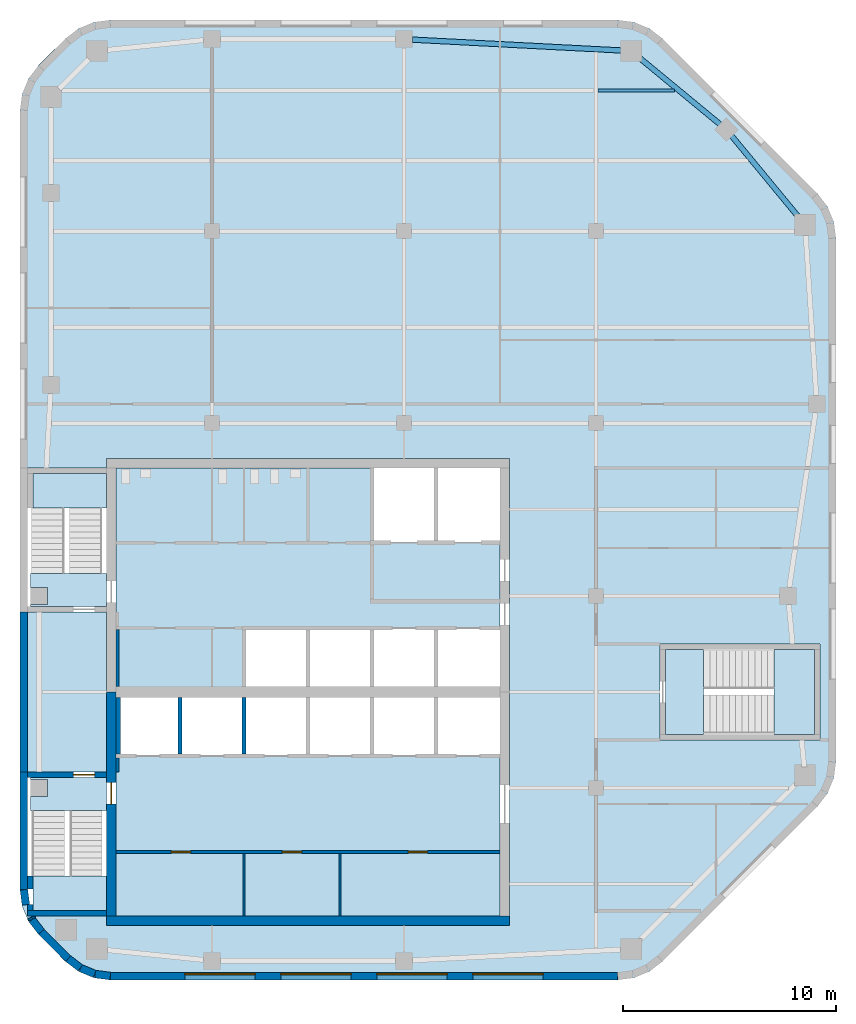
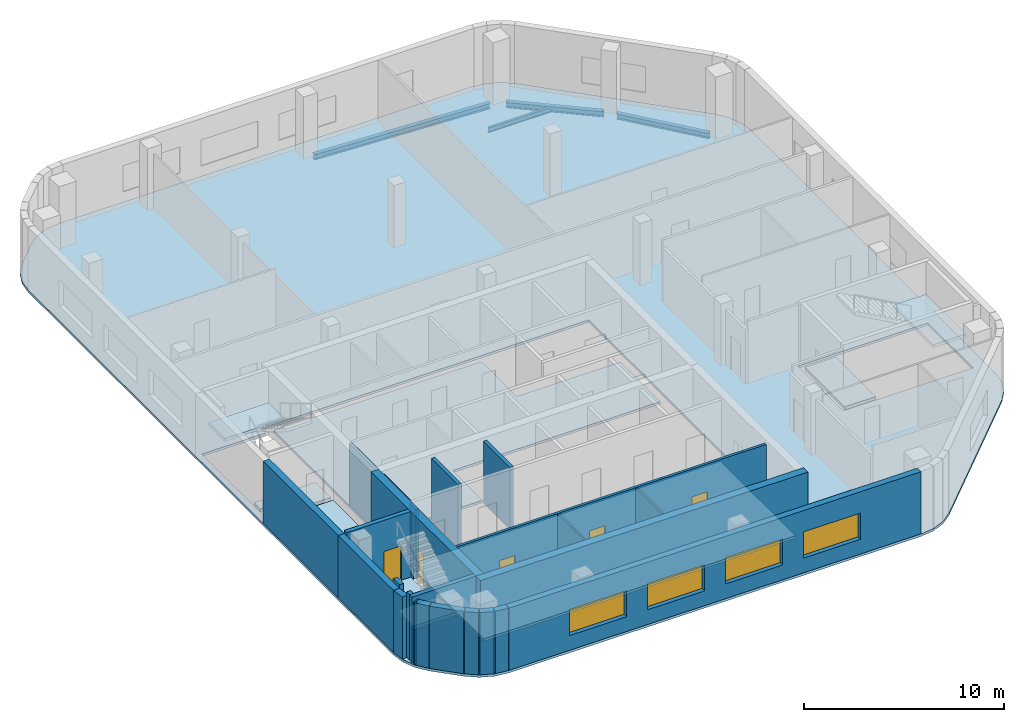
# One storey, part 2 of 7: 24 walls, 9 slabs, 5 doors, 4 beams, 4 windows, 9 openings, 3 elements without a shape of their own.
"""IFC4 building model written with IfcOpenShell, lengths in metres."""

from ifc_helpers import new_model, si_unit, direction, frame, frame_2d, origin, origin_2d, place, context, subcontext, project, spatial, polyline, rectangle, i_section, outline, extrude, material, layer, layer_set, material_profile, profile_set, type_object, element, fill, aggregate, save


model = new_model("IFC4")

# Units and contexts
model_context = context("Model", 3, precision=1e-05, world=origin(), true_north=direction((0.0, 1.0)))
body_context = subcontext(model_context, "Body", "Model", "MODEL_VIEW")
ifc_project = project(units=[si_unit("LENGTHUNIT", "METRE"), si_unit("AREAUNIT", "SQUARE_METRE"), si_unit("VOLUMEUNIT", "CUBIC_METRE"), si_unit("PLANEANGLEUNIT", "RADIAN"), si_unit("MASSUNIT", "GRAM", prefix="KILO")], contexts=[model_context])

# Site, building, storey
site_placement = place(None, origin())
site = spatial("IfcSite", under=ifc_project, at=site_placement, CompositionType="ELEMENT")
building_placement = place(site_placement, origin())
building = spatial("IfcBuilding", under=site, at=building_placement, Name="Cinnabar Reach Civic Tower", CompositionType="ELEMENT")
storey_placement = place(building_placement, frame((0.0, 0.0, 279.0)))
storey = spatial("IfcBuildingStorey", under=building, at=storey_placement, Name="L67", CompositionType="ELEMENT", Elevation=279.0)

# Beams
ifc_material_1 = material(Name="Steel Q355B", Category="steel")
ifc_material_profile_1 = material_profile(ifc_material_1, i_section(OverallWidth=0.25, OverallDepth=0.34, WebThickness=0.009, FlangeThickness=0.014, FilletRadius=0.013, at=origin_2d()), Name="HM340x250x9x14")
ifc_profile_set_1 = profile_set([ifc_material_profile_1], Name="Steel Q355B")
beam_type_1 = type_object("IfcBeamType", Name="HM340x250x9x14 beam R 180", PredefinedType="BEAM", material=ifc_profile_set_1)
for number, where, z_axis, x_axis, name in (
    (1, (36.4818, 53.7801, -0.32), (-0.636303312762, 0.771438976309, 0.0), (-0.771438976309, -0.636303312762, 0.0), "Edge beam T1 L67 9"),
    (2, (32.8486, 58.0822, -0.32), (-0.771438976309, 0.636303312762, 0.0), (-0.636303312762, -0.771438976309, 0.0), "Edge beam T1 L67 10"),
):
    element("IfcBeam", number, at=place(storey_placement, frame(where, z_axis=z_axis, x_axis=x_axis)), inside=storey, type_object=beam_type_1, Name=name, PredefinedType="BEAM", context=body_context, shape_type="SweptSolid", body=[
        extrude(i_section(OverallWidth=0.25, OverallDepth=0.34, WebThickness=0.009, FlangeThickness=0.014, FilletRadius=0.013, at=origin_2d()), origin(), (0.0, 0.0, 1.0), 4.9498),
    ])
beam_1_placement = place(storey_placement, frame((28.2661, 61.5667, -0.32), z_axis=(-0.998653533726, 0.051876001934, 0.0), x_axis=(-0.051876001934, -0.998653533726, 0.0)))
element("IfcBeam", 3, at=beam_1_placement, inside=storey, type_object=beam_type_1, Name="Edge beam T1 L67 11", PredefinedType="BEAM", context=body_context, shape_type="SweptSolid", body=[
    extrude(i_section(OverallWidth=0.25, OverallDepth=0.34, WebThickness=0.009, FlangeThickness=0.014, FilletRadius=0.013, at=origin_2d()), origin(), (0.0, 0.0, 1.0), 9.8774),
])
ifc_material_profile_2 = material_profile(ifc_material_1, i_section(OverallWidth=0.15, OverallDepth=0.3, WebThickness=0.0065, FlangeThickness=0.009, FilletRadius=0.013, at=origin_2d()), Name="HN300x150x6.5x9")
ifc_profile_set_2 = profile_set([ifc_material_profile_2], Name="Steel Q355B")
beam_type_2 = type_object("IfcBeamType", Name="HN300x150x6.5x9 beam R 180", PredefinedType="BEAM", material=ifc_profile_set_2)
beam_2_placement = place(storey_placement, frame((27.102, 59.7, -0.3), z_axis=(1.0, 0.0, 0.0), x_axis=(0.0, 1.0, 0.0)))
element("IfcBeam", 4, at=beam_2_placement, inside=storey, type_object=beam_type_2, Name="Secondary beam T1 L67 19", PredefinedType="BEAM", context=body_context, shape_type="SweptSolid", body=[
    extrude(i_section(OverallWidth=0.15, OverallDepth=0.3, WebThickness=0.0065, FlangeThickness=0.009, FilletRadius=0.013, at=origin_2d()), origin(), (0.0, 0.0, 1.0), 3.5856),
])

# Slab
ifc_material_2 = material(Name="Concrete C40", Category="concrete")
ifc_layer_1 = layer(ifc_material_2, 0.15)
ifc_layer_set_1 = layer_set([ifc_layer_1], Name="Composite floor slab 150 REI 150")
slab_type_1 = type_object("IfcSlabType", Name="Composite floor slab 150 REI 150", PredefinedType="FLOOR", material=ifc_layer_set_1)
slab_1_placement = place(storey_placement, frame((0.0, 0.0, -0.15)))
element("IfcSlab", 5, at=slab_1_placement, inside=storey, type_object=slab_type_1, Name="Composite floor slab 150 T1 L67", PredefinedType="FLOOR", context=body_context, shape_type="SweptSolid", body=[
    extrude(outline(polyline([(0.8787, 20.1213), (0.4019, 20.7426), (0.1022, 21.4662), (0.0, 22.2426), (0.0, 58.7574), (0.1022, 59.5338), (0.4019, 60.2574), (0.8787, 60.8787), (2.1213, 62.1213), (2.7426, 62.5981), (3.4662, 62.8978), (4.2426, 63.0), (28.0074, 63.0), (28.7838, 62.8978), (29.5074, 62.5981), (30.1287, 62.1213), (37.3713, 54.8787), (37.8481, 54.2574), (38.1478, 53.5338), (38.25, 52.7574), (38.25, 28.2426), (38.1478, 27.4662), (37.8481, 26.7426), (37.3713, 26.1213), (30.1287, 18.8787), (29.5074, 18.4019), (28.7838, 18.1022), (28.0074, 18.0), (4.2426, 18.0), (3.4662, 18.1022), (2.7426, 18.4019), (2.1213, 18.8787), (0.8787, 20.1213)]), holes=[polyline([(0.685, 21.0), (4.05, 21.0), (4.05, 20.55), (22.95, 20.55), (22.95, 42.45), (4.05, 42.45), (4.05, 42.0), (0.36, 42.0), (0.36, 35.25), (4.05, 35.25), (4.05, 27.75), (0.36, 27.75), (0.36, 22.2662), (0.453, 21.5602), (0.685, 21.0)]), polyline([(30.0, 33.75), (30.0, 29.25), (37.5, 29.25), (37.5, 33.75), (30.0, 33.75)])]), origin(), (0.0, 0.0, 1.0), 0.15),
])

# Stair, slabs
ifc_material_3 = material(Name="Concrete C40/50", Category="concrete")
stair_type = type_object("IfcStairType", Name="T1 Exit stair, half-turn", PredefinedType="HALF_TURN_STAIR", material=ifc_material_3)
stair_1_placement = place(storey_placement, origin())
stair_1 = element("IfcStair", 6, at=stair_1_placement, inside=storey, type_object=stair_type, Name="Stair T1-S1", PredefinedType="HALF_TURN_STAIR")
ifc_layer_2 = layer(ifc_material_3, 0.2)
ifc_layer_set_2 = layer_set([ifc_layer_2], Name="T1 Stair landing 200, Concrete C40/50")
slab_type_2 = type_object("IfcSlabType", Name="T1 Stair landing 200, Concrete C40/50", PredefinedType="LANDING", material=ifc_layer_set_2)
slab_2_placement = place(storey_placement, frame((0.0, 0.0, -0.2)))
slab_2 = element("IfcSlab", 7, at=slab_2_placement, type_object=slab_type_2, Name="T1-S1 landing 1", PredefinedType="LANDING", context=body_context, shape_type="SweptSolid", body=[
    extrude(outline(polyline([(0.5, 27.5), (4.05, 27.5), (4.05, 25.95), (0.5, 25.95), (0.5, 26.6), (1.3, 26.6), (1.3, 27.4), (0.5, 27.4), (0.5, 27.5)])), origin(), (0.0, 0.0, 1.0), 0.2),
])
slab_3_placement = place(storey_placement, frame((0.0, 0.0, 1.8)))
slab_3 = element("IfcSlab", 8, at=slab_3_placement, type_object=slab_type_2, Name="T1-S1 landing 2", PredefinedType="LANDING", context=body_context, shape_type="SweptSolid", body=[
    extrude(outline(polyline([(0.6, 21.25), (0.6, 22.87), (4.05, 22.87), (4.05, 21.25), (0.6, 21.25)])), origin(), (0.0, 0.0, 1.0), 0.2),
])
aggregate(stair_1, [slab_2, slab_3])

stair_2_placement = place(storey_placement, origin())
stair_2 = element("IfcStair", 9, at=stair_2_placement, inside=storey, type_object=stair_type, Name="Stair T1-S2", PredefinedType="HALF_TURN_STAIR")
slab_4_placement = place(storey_placement, frame((0.0, 0.0, -0.2)))
slab_4 = element("IfcSlab", 10, at=slab_4_placement, type_object=slab_type_2, Name="T1-S2 landing 1", PredefinedType="LANDING", context=body_context, shape_type="SweptSolid", body=[
    extrude(outline(polyline([(0.5, 37.05), (4.05, 37.05), (4.05, 35.5), (0.5, 35.5), (0.5, 35.6), (1.3, 35.6), (1.3, 36.4), (0.5, 36.4), (0.5, 37.05)])), origin(), (0.0, 0.0, 1.0), 0.2),
])
slab_5_placement = place(storey_placement, frame((0.0, 0.0, 1.8)))
slab_5 = element("IfcSlab", 11, at=slab_5_placement, type_object=slab_type_2, Name="T1-S2 landing 2", PredefinedType="LANDING", context=body_context, shape_type="SweptSolid", body=[
    extrude(outline(polyline([(0.6, 40.13), (0.6, 41.75), (4.05, 41.75), (4.05, 40.13), (0.6, 40.13)])), origin(), (0.0, 0.0, 1.0), 0.2),
])
aggregate(stair_2, [slab_4, slab_5])

stair_3_placement = place(storey_placement, origin())
stair_3 = element("IfcStair", 12, at=stair_3_placement, inside=storey, type_object=stair_type, Name="Stair T1-S3", PredefinedType="HALF_TURN_STAIR")
slab_6_placement = place(storey_placement, frame((0.0, 0.0, -0.2)))
slab_6 = element("IfcSlab", 13, at=slab_6_placement, type_object=slab_type_2, Name="T1-S3 landing 1", PredefinedType="LANDING", context=body_context, shape_type="SweptSolid", body=[
    extrude(outline(polyline([(30.25, 29.5), (32.05, 29.5), (32.05, 33.5), (30.25, 33.5), (30.25, 29.5)])), origin(), (0.0, 0.0, 1.0), 0.2),
])
slab_7_placement = place(storey_placement, frame((0.0, 0.0, 1.8)))
slab_7 = element("IfcSlab", 14, at=slab_7_placement, type_object=slab_type_2, Name="T1-S3 landing 2", PredefinedType="LANDING", context=body_context, shape_type="SweptSolid", body=[
    extrude(outline(polyline([(35.35, 29.5), (37.25, 29.5), (37.25, 33.5), (35.35, 33.5), (35.35, 29.5)])), origin(), (0.0, 0.0, 1.0), 0.2),
])
aggregate(stair_3, [slab_6, slab_7])

# Slabs
ifc_layer_3 = layer(ifc_material_3, 0.15)
ifc_layer_set_3 = layer_set([ifc_layer_3], Name="T1 core floor slab 150")
slab_type_3 = type_object("IfcSlabType", Name="T1 core floor slab 150", PredefinedType="FLOOR", material=ifc_layer_set_3)
slab_8_placement = place(storey_placement, frame((0.0, 0.0, -0.15)))
element("IfcSlab", 15, at=slab_8_placement, inside=storey, type_object=slab_type_3, Name="Core floor slab L67", PredefinedType="FLOOR", context=body_context, shape_type="SweptSolid", body=[
    extrude(outline(polyline([(22.5, 21.0), (4.5, 21.0), (4.5, 28.5), (7.5, 28.5), (10.5, 28.5), (13.5, 28.5), (16.5, 28.5), (19.5, 28.5), (22.5, 28.5), (22.5, 21.0)])), origin(), (0.0, 0.0, 1.0), 0.15),
])
slab_9_placement = place(storey_placement, frame((0.0, 0.0, -0.15)))
element("IfcSlab", 16, at=slab_9_placement, inside=storey, type_object=slab_type_3, Name="Core floor slab L67", PredefinedType="FLOOR", context=body_context, shape_type="SweptSolid", body=[
    extrude(outline(polyline([(22.5, 34.5), (19.5, 34.5), (16.5, 34.5), (13.5, 34.5), (10.5, 34.5), (10.5, 31.5), (7.5, 31.5), (4.5, 31.5), (4.5, 42.0), (16.5, 42.0), (16.5, 38.5), (19.5, 38.5), (22.5, 38.5), (22.5, 34.5)])), origin(), (0.0, 0.0, 1.0), 0.15),
])

# Walls
ifc_material_4 = material(Name="Facing brick with insulated backing", Category="masonry")
ifc_layer_4 = layer(ifc_material_4, 0.36)
ifc_layer_set_4 = layer_set([ifc_layer_4], Name="Brick corner wall")
wall_type_1 = type_object("IfcWallType", Name="Brick corner wall", PredefinedType="STANDARD", material=ifc_layer_set_4)
wall_1_placement = place(storey_placement, frame((0.183, 22.2314, 0.0), z_axis=(0.0, 0.0, 1.0), x_axis=(0.13055608231, -0.99144092581, 0.0)))
element("IfcWall", 17, at=wall_1_placement, inside=storey, type_object=wall_type_1, Name="Brick corner wall", PredefinedType="STANDARD", context=body_context, shape_type="SweptSolid", body=[
    extrude(rectangle(XDim=0.7131, YDim=0.36, at=frame_2d((0.3565, 0.0))), origin(), (0.0, 0.0, 1.0), 3.8),
])
wall_2_placement = place(storey_placement, frame((0.5206, 20.9265, 0.0), z_axis=(0.0, 0.0, 1.0), x_axis=(0.382549378284, -0.923935048136, 0.0)))
element("IfcWall", 18, at=wall_2_placement, inside=storey, type_object=wall_type_1, Name="Brick corner wall", PredefinedType="STANDARD", context=body_context, shape_type="SweptSolid", body=[
    extrude(rectangle(XDim=0.0894, YDim=0.36, at=frame_2d((0.0447, 0.0))), origin(), (0.0, 0.0, 1.0), 3.8),
])
for number, where, z_axis, x_axis, name in (
    (19, (0.566, 20.8245, 0.0), (0.0, 0.0, 1.0), (0.608802368033, -0.793321924995, 0.0), "Brick corner wall"),
    (20, (2.2587, 19.0002, 0.0), (0.0, 0.0, 1.0), (0.793321924995, -0.608802368033, 0.0), "Brick corner wall"),
):
    element("IfcWall", number, at=place(storey_placement, frame(where, z_axis=z_axis, x_axis=x_axis)), inside=storey, type_object=wall_type_1, Name=name, PredefinedType="STANDARD", context=body_context, shape_type="SweptSolid", body=[
        extrude(rectangle(XDim=0.7132, YDim=0.36, at=frame_2d((0.3566, 0.0))), origin(), (0.0, 0.0, 1.0), 3.8),
    ])
for number, where, z_axis, x_axis, name in (
    (21, (2.8439, 18.5548, 0.0), (0.0, 0.0, 1.0), (0.923871547278, -0.382702709855, 0.0), "Brick corner wall"),
    (22, (3.5244, 18.2761, 0.0), (0.0, 0.0, 1.0), (0.99144092581, -0.13055608231, 0.0), "Brick corner wall"),
):
    element("IfcWall", number, at=place(storey_placement, frame(where, z_axis=z_axis, x_axis=x_axis)), inside=storey, type_object=wall_type_1, Name=name, PredefinedType="STANDARD", context=body_context, shape_type="SweptSolid", body=[
        extrude(rectangle(XDim=0.7131, YDim=0.36, at=frame_2d((0.3565, 0.0))), origin(), (0.0, 0.0, 1.0), 3.8),
    ])

# Wall, openings, windows
ifc_layer_5 = layer(ifc_material_4, 0.36)
ifc_layer_set_5 = layer_set([ifc_layer_5], Name="Brick pier and spandrel wall")
wall_type_2 = type_object("IfcWallType", Name="Brick pier and spandrel wall", PredefinedType="STANDARD", material=ifc_layer_set_5)
wall_3_placement = place(storey_placement, frame((4.2426, 18.18, 0.0), z_axis=(0.0, 0.0, 1.0), x_axis=(1.0, 0.0, 0.0)))
wall_3 = element("IfcWall", 23, at=wall_3_placement, inside=storey, type_object=wall_type_2, Name="Brick facade wall", PredefinedType="STANDARD", context=body_context, shape_type="SweptSolid", body=[
    extrude(rectangle(XDim=23.7648, YDim=0.36, at=frame_2d((11.8824, 0.0))), origin(), (0.0, 0.0, 1.0), 3.8),
])
opening_1_placement = place(wall_3_placement, frame((3.4824, 0.0, 0.9)))
opening_1 = element("IfcOpeningElement", 24, at=opening_1_placement, cuts=wall_3, Name="Opening W2313", PredefinedType="OPENING", context=body_context, shape_type="SweptSolid", body=[
    extrude(rectangle(XDim=3.3, YDim=1.6, at=frame_2d((1.65, 0.8))), frame((0.0, 0.19, 0.0), z_axis=(0.0, -1.0, 0.0), x_axis=(1.0, 0.0, 0.0)), (0.0, 0.0, 1.0), 0.38),
])
opening_2_placement = place(wall_3_placement, frame((7.9824, 0.0, 0.9)))
opening_2 = element("IfcOpeningElement", 25, at=opening_2_placement, cuts=wall_3, Name="Opening W2314", PredefinedType="OPENING", context=body_context, shape_type="SweptSolid", body=[
    extrude(rectangle(XDim=3.3, YDim=1.6, at=frame_2d((1.65, 0.8))), frame((0.0, 0.19, 0.0), z_axis=(0.0, -1.0, 0.0), x_axis=(1.0, 0.0, 0.0)), (0.0, 0.0, 1.0), 0.38),
])
opening_3_placement = place(wall_3_placement, frame((12.4824, 0.0, 0.9)))
opening_3 = element("IfcOpeningElement", 26, at=opening_3_placement, cuts=wall_3, Name="Opening W2315", PredefinedType="OPENING", context=body_context, shape_type="SweptSolid", body=[
    extrude(rectangle(XDim=3.3, YDim=1.6, at=frame_2d((1.65, 0.8))), frame((0.0, 0.19, 0.0), z_axis=(0.0, -1.0, 0.0), x_axis=(1.0, 0.0, 0.0)), (0.0, 0.0, 1.0), 0.38),
])
opening_4_placement = place(wall_3_placement, frame((16.9824, 0.0, 0.9)))
opening_4 = element("IfcOpeningElement", 27, at=opening_4_placement, cuts=wall_3, Name="Opening W2316", PredefinedType="OPENING", context=body_context, shape_type="SweptSolid", body=[
    extrude(rectangle(XDim=3.3, YDim=1.6, at=frame_2d((1.65, 0.8))), frame((0.0, 0.19, 0.0), z_axis=(0.0, -1.0, 0.0), x_axis=(1.0, 0.0, 0.0)), (0.0, 0.0, 1.0), 0.38),
])
ifc_material_5 = material(Name="Clear double glazing in aluminium frame", Category="aluminium")
window_type = type_object("IfcWindowType", Name="Deep-set window A", PartitioningType="SINGLE_PANEL", PredefinedType="WINDOW", material=ifc_material_5)
window_1_placement = place(opening_1_placement, origin())
window_1 = element("IfcWindow", 28, at=window_1_placement, inside=storey, type_object=window_type, Name="Window south face", OverallHeight=1.6, OverallWidth=3.3, PartitioningType="SINGLE_PANEL", PredefinedType="WINDOW", context=body_context, shape_type="SweptSolid", body=[
    extrude(rectangle(XDim=3.3, YDim=1.6, at=frame_2d((1.65, 0.8))), frame((0.0, 0.13, 0.0), z_axis=(0.0, -1.0, 0.0), x_axis=(1.0, 0.0, 0.0)), (0.0, 0.0, 1.0), 0.06),
])
fill(opening_1, window_1)
window_2_placement = place(opening_2_placement, origin())
window_2 = element("IfcWindow", 29, at=window_2_placement, inside=storey, type_object=window_type, Name="Window south face", OverallHeight=1.6, OverallWidth=3.3, PartitioningType="SINGLE_PANEL", PredefinedType="WINDOW", context=body_context, shape_type="SweptSolid", body=[
    extrude(rectangle(XDim=3.3, YDim=1.6, at=frame_2d((1.65, 0.8))), frame((0.0, 0.13, 0.0), z_axis=(0.0, -1.0, 0.0), x_axis=(1.0, 0.0, 0.0)), (0.0, 0.0, 1.0), 0.06),
])
fill(opening_2, window_2)
window_3_placement = place(opening_3_placement, origin())
window_3 = element("IfcWindow", 30, at=window_3_placement, inside=storey, type_object=window_type, Name="Window south face", OverallHeight=1.6, OverallWidth=3.3, PartitioningType="SINGLE_PANEL", PredefinedType="WINDOW", context=body_context, shape_type="SweptSolid", body=[
    extrude(rectangle(XDim=3.3, YDim=1.6, at=frame_2d((1.65, 0.8))), frame((0.0, 0.13, 0.0), z_axis=(0.0, -1.0, 0.0), x_axis=(1.0, 0.0, 0.0)), (0.0, 0.0, 1.0), 0.06),
])
fill(opening_3, window_3)
window_4_placement = place(opening_4_placement, origin())
window_4 = element("IfcWindow", 31, at=window_4_placement, inside=storey, type_object=window_type, Name="Window south face", OverallHeight=1.6, OverallWidth=3.3, PartitioningType="SINGLE_PANEL", PredefinedType="WINDOW", context=body_context, shape_type="SweptSolid", body=[
    extrude(rectangle(XDim=3.3, YDim=1.6, at=frame_2d((1.65, 0.8))), frame((0.0, 0.13, 0.0), z_axis=(0.0, -1.0, 0.0), x_axis=(1.0, 0.0, 0.0)), (0.0, 0.0, 1.0), 0.06),
])
fill(opening_4, window_4)

# Walls
wall_4_placement = place(storey_placement, frame((0.18, 35.25, 0.0), z_axis=(0.0, 0.0, 1.0), x_axis=(0.0, -1.0, 0.0)))
element("IfcWall", 32, at=wall_4_placement, inside=storey, type_object=wall_type_2, Name="Brick facade wall", PredefinedType="STANDARD", context=body_context, shape_type="SweptSolid", body=[
    extrude(rectangle(XDim=7.5, YDim=0.36, at=frame_2d((3.75, 0.0))), origin(), (0.0, 0.0, 1.0), 3.8),
])
wall_5_placement = place(storey_placement, frame((0.18, 27.75, 0.0), z_axis=(0.0, 0.0, 1.0), x_axis=(0.0, -1.0, 0.0)))
element("IfcWall", 33, at=wall_5_placement, inside=storey, type_object=wall_type_2, Name="Brick facade wall", PredefinedType="STANDARD", context=body_context, shape_type="SweptSolid", body=[
    extrude(rectangle(XDim=5.5074, YDim=0.36, at=frame_2d((2.7537, 0.0))), origin(), (0.0, 0.0, 1.0), 3.8),
])
wall_6_placement = place(storey_placement, frame((1.006, 20.2486, 0.0), z_axis=(0.0, 0.0, 1.0), x_axis=(0.707106781187, -0.707106781187, 0.0)))
element("IfcWall", 34, at=wall_6_placement, inside=storey, type_object=wall_type_2, Name="Brick facade wall", PredefinedType="STANDARD", context=body_context, shape_type="SweptSolid", body=[
    extrude(rectangle(XDim=1.7573, YDim=0.36, at=frame_2d((0.8787, 0.0))), origin(), (0.0, 0.0, 1.0), 3.8),
])
ifc_material_6 = material(Name="Concrete C60", Category="concrete")
ifc_layer_6 = layer(ifc_material_6, 0.45)
ifc_layer_set_6 = layer_set([ifc_layer_6], Name="Core wall 450 EI 180")
wall_type_3 = type_object("IfcWallType", Name="Core wall 450 EI 180", PredefinedType="SOLIDWALL", material=ifc_layer_set_6)
wall_7_placement = place(storey_placement, frame((4.05, 20.775, 0.0), z_axis=(0.0, 0.0, 1.0), x_axis=(1.0, 0.0, 0.0)))
element("IfcWall", 35, at=wall_7_placement, inside=storey, type_object=wall_type_3, Name="Core wall T1 L67 S", PredefinedType="SOLIDWALL", context=body_context, shape_type="SweptSolid", body=[
    extrude(rectangle(XDim=18.9, YDim=0.45, at=frame_2d((9.45, 0.0))), origin(), (0.0, 0.0, 1.0), 4.0),
])

# Wall, opening, door
wall_8_placement = place(storey_placement, frame((4.275, 31.5, 0.0), z_axis=(0.0, 0.0, 1.0), x_axis=(0.0, -1.0, 0.0)))
wall_8 = element("IfcWall", 36, at=wall_8_placement, inside=storey, type_object=wall_type_3, Name="Core wall T1 L67 W2", PredefinedType="SOLIDWALL", context=body_context, shape_type="SweptSolid", body=[
    extrude(rectangle(XDim=10.5, YDim=0.45, at=frame_2d((5.25, 0.0))), origin(), (0.0, 0.0, 1.0), 4.0),
])
opening_5_placement = place(wall_8_placement, frame((4.25, 0.0, 0.0)))
opening_5 = element("IfcOpeningElement", 37, at=opening_5_placement, cuts=wall_8, Name="Opening D5656", PredefinedType="OPENING", context=body_context, shape_type="SweptSolid", body=[
    extrude(rectangle(XDim=1.0, YDim=2.1, at=frame_2d((0.5, 1.05))), frame((0.0, 0.235, 0.0), z_axis=(0.0, -1.0, 0.0), x_axis=(1.0, 0.0, 0.0)), (0.0, 0.0, 1.0), 0.47),
])
ifc_material_7 = material(Name="Timber door leaf in steel frame", Category="steel")
door_type_1 = type_object("IfcDoorType", Name="Stair door 1000 x 2100 T1", OperationType="SINGLE_SWING_LEFT", PredefinedType="DOOR", material=ifc_material_7)
door_1_placement = place(opening_5_placement, frame((1.0, 0.0, 0.0), z_axis=(0.0, 0.0, 1.0), x_axis=(-1.0, 0.0, 0.0)))
door_1 = element("IfcDoor", 38, at=door_1_placement, inside=storey, type_object=door_type_1, Name="Door D5656", OperationType="SINGLE_SWING_RIGHT", OverallHeight=2.1, OverallWidth=1.0, PredefinedType="DOOR", context=body_context, shape_type="SweptSolid", body=[
    extrude(rectangle(XDim=1.0, YDim=2.1, at=frame_2d((0.5, 1.05))), frame((0.0, 0.025, 0.0), z_axis=(0.0, -1.0, 0.0), x_axis=(1.0, 0.0, 0.0)), (0.0, 0.0, 1.0), 0.05),
])
fill(opening_5, door_1)

# Wall, openings, doors
ifc_material_8 = material(Name="Gypsum board on steel studs, double layer", Category="steel")
ifc_layer_7 = layer(ifc_material_8, 0.15)
ifc_layer_set_7 = layer_set([ifc_layer_7], Name="Corridor wall 150 T1")
wall_type_4 = type_object("IfcWallType", Name="Corridor wall 150 T1", PredefinedType="PARTITIONING", material=ifc_layer_set_7)
wall_9_placement = place(storey_placement, frame((4.5, 24.0, 0.0), z_axis=(0.0, 0.0, 1.0), x_axis=(1.0, 0.0, 0.0)))
wall_9 = element("IfcWall", 39, at=wall_9_placement, inside=storey, type_object=wall_type_4, Name="Corridor wall 19", PredefinedType="PARTITIONING", context=body_context, shape_type="SweptSolid", body=[
    extrude(rectangle(XDim=18.0, YDim=0.15, at=frame_2d((9.0, 0.0))), origin(), (0.0, 0.0, 1.0), 3.8),
])
opening_6_placement = place(wall_9_placement, frame((2.6, 0.0, 0.0)))
opening_6 = element("IfcOpeningElement", 40, at=opening_6_placement, cuts=wall_9, Name="Opening D5674", PredefinedType="OPENING", context=body_context, shape_type="SweptSolid", body=[
    extrude(rectangle(XDim=0.9, YDim=2.1, at=frame_2d((0.45, 1.05))), frame((0.0, 0.085, 0.0), z_axis=(0.0, -1.0, 0.0), x_axis=(1.0, 0.0, 0.0)), (0.0, 0.0, 1.0), 0.17),
])
opening_7_placement = place(wall_9_placement, frame((7.8, 0.0, 0.0)))
opening_7 = element("IfcOpeningElement", 41, at=opening_7_placement, cuts=wall_9, Name="Opening D5675", PredefinedType="OPENING", context=body_context, shape_type="SweptSolid", body=[
    extrude(rectangle(XDim=0.9, YDim=2.1, at=frame_2d((0.45, 1.05))), frame((0.0, 0.085, 0.0), z_axis=(0.0, -1.0, 0.0), x_axis=(1.0, 0.0, 0.0)), (0.0, 0.0, 1.0), 0.17),
])
opening_8_placement = place(wall_9_placement, frame((13.7, 0.0, 0.0)))
opening_8 = element("IfcOpeningElement", 42, at=opening_8_placement, cuts=wall_9, Name="Opening D5676", PredefinedType="OPENING", context=body_context, shape_type="SweptSolid", body=[
    extrude(rectangle(XDim=0.9, YDim=2.1, at=frame_2d((0.45, 1.05))), frame((0.0, 0.085, 0.0), z_axis=(0.0, -1.0, 0.0), x_axis=(1.0, 0.0, 0.0)), (0.0, 0.0, 1.0), 0.17),
])
door_type_2 = type_object("IfcDoorType", Name="Single swing door 900 x 2100 corridor T1", OperationType="SINGLE_SWING_LEFT", PredefinedType="DOOR", material=ifc_material_7)
door_2_placement = place(opening_6_placement, frame((0.9, 0.0, 0.0), z_axis=(0.0, 0.0, 1.0), x_axis=(-1.0, 0.0, 0.0)))
door_2 = element("IfcDoor", 43, at=door_2_placement, inside=storey, type_object=door_type_2, Name="Door D5674", OperationType="SINGLE_SWING_LEFT", OverallHeight=2.1, OverallWidth=0.9, PredefinedType="DOOR", context=body_context, shape_type="SweptSolid", body=[
    extrude(rectangle(XDim=0.9, YDim=2.1, at=frame_2d((0.45, 1.05))), frame((0.0, 0.025, 0.0), z_axis=(0.0, -1.0, 0.0), x_axis=(1.0, 0.0, 0.0)), (0.0, 0.0, 1.0), 0.05),
])
fill(opening_6, door_2)
door_3_placement = place(opening_7_placement, frame((0.9, 0.0, 0.0), z_axis=(0.0, 0.0, 1.0), x_axis=(-1.0, 0.0, 0.0)))
door_3 = element("IfcDoor", 44, at=door_3_placement, inside=storey, type_object=door_type_2, Name="Door D5675", OperationType="SINGLE_SWING_LEFT", OverallHeight=2.1, OverallWidth=0.9, PredefinedType="DOOR", context=body_context, shape_type="SweptSolid", body=[
    extrude(rectangle(XDim=0.9, YDim=2.1, at=frame_2d((0.45, 1.05))), frame((0.0, 0.025, 0.0), z_axis=(0.0, -1.0, 0.0), x_axis=(1.0, 0.0, 0.0)), (0.0, 0.0, 1.0), 0.05),
])
fill(opening_7, door_3)
door_4_placement = place(opening_8_placement, frame((0.9, 0.0, 0.0), z_axis=(0.0, 0.0, 1.0), x_axis=(-1.0, 0.0, 0.0)))
door_4 = element("IfcDoor", 45, at=door_4_placement, inside=storey, type_object=door_type_2, Name="Door D5676", OperationType="SINGLE_SWING_LEFT", OverallHeight=2.1, OverallWidth=0.9, PredefinedType="DOOR", context=body_context, shape_type="SweptSolid", body=[
    extrude(rectangle(XDim=0.9, YDim=2.1, at=frame_2d((0.45, 1.05))), frame((0.0, 0.025, 0.0), z_axis=(0.0, -1.0, 0.0), x_axis=(1.0, 0.0, 0.0)), (0.0, 0.0, 1.0), 0.05),
])
fill(opening_8, door_4)

# Walls
wall_10_placement = place(storey_placement, frame((4.575, 31.75, 0.0), z_axis=(0.0, 0.0, 1.0), x_axis=(0.0, 1.0, 0.0)))
element("IfcWall", 46, at=wall_10_placement, inside=storey, type_object=wall_type_4, Name="Corridor wall 29", PredefinedType="PARTITIONING", context=body_context, shape_type="SweptSolid", body=[
    extrude(rectangle(XDim=2.675, YDim=0.15, at=frame_2d((1.3375, 0.0))), origin(), (0.0, 0.0, 1.0), 3.8),
])
wall_11_placement = place(storey_placement, frame((4.575, 27.75, 0.0), z_axis=(0.0, 0.0, 1.0), x_axis=(0.0, 1.0, 0.0)))
element("IfcWall", 47, at=wall_11_placement, inside=storey, type_object=wall_type_4, Name="Corridor wall 32", PredefinedType="PARTITIONING", context=body_context, shape_type="SweptSolid", body=[
    extrude(rectangle(XDim=0.65, YDim=0.15, at=frame_2d((0.325, 0.0))), origin(), (0.0, 0.0, 1.0), 3.8),
])
ifc_material_9 = material(Name="Blockwork", Category="masonry")
ifc_layer_8 = layer(ifc_material_9, 0.2)
ifc_layer_set_8 = layer_set([ifc_layer_8], Name="Lift shaft wall 200 T1")
wall_type_5 = type_object("IfcWallType", Name="Lift shaft wall 200 T1", PredefinedType="PARTITIONING", material=ifc_layer_set_8)
for number, where, z_axis, x_axis, name in (
    (48, (10.5, 28.6, 0.0), (0.0, 0.0, 1.0), (0.0, 1.0, 0.0), "Lift shaft wall 6"),
    (49, (4.6, 28.6, 0.0), (0.0, 0.0, 1.0), (0.0, 1.0, 0.0), "Lift shaft wall 16"),
    (50, (7.5, 28.6, 0.0), (0.0, 0.0, 1.0), (0.0, 1.0, 0.0), "Lift shaft wall 17"),
):
    element("IfcWall", number, at=place(storey_placement, frame(where, z_axis=z_axis, x_axis=x_axis)), inside=storey, type_object=wall_type_5, Name=name, PredefinedType="PARTITIONING", context=body_context, shape_type="SweptSolid", body=[
        extrude(rectangle(XDim=2.65, YDim=0.2, at=frame_2d((1.325, 0.0))), origin(), (0.0, 0.0, 1.0), 3.8),
    ])
ifc_material_10 = material(Name="Gypsum board on steel studs", Category="steel")
ifc_layer_9 = layer(ifc_material_10, 0.1)
ifc_layer_set_9 = layer_set([ifc_layer_9], Name="Partition wall 100 T1")
wall_type_6 = type_object("IfcWallType", Name="Partition wall 100 T1", PredefinedType="PARTITIONING", material=ifc_layer_set_9)
for number, where, z_axis, x_axis, name in (
    (51, (10.5, 21.0, 0.0), (0.0, 0.0, 1.0), (0.0, 1.0, 0.0), "Partition wall 47"),
    (52, (15.0, 21.0, 0.0), (0.0, 0.0, 1.0), (0.0, 1.0, 0.0), "Partition wall 48"),
):
    element("IfcWall", number, at=place(storey_placement, frame(where, z_axis=z_axis, x_axis=x_axis)), inside=storey, type_object=wall_type_6, Name=name, PredefinedType="PARTITIONING", context=body_context, shape_type="SweptSolid", body=[
        extrude(rectangle(XDim=2.925, YDim=0.1, at=frame_2d((1.4625, 0.0))), origin(), (0.0, 0.0, 1.0), 3.8),
    ])
ifc_layer_10 = layer(ifc_material_6, 0.25)
ifc_layer_set_10 = layer_set([ifc_layer_10], Name="Stair shaft wall 250 EI 120")
wall_type_7 = type_object("IfcWallType", Name="Stair shaft wall 250 EI 120", PredefinedType="SOLIDWALL", material=ifc_layer_set_10)
wall_12_placement = place(storey_placement, frame((0.36, 21.125, 0.0), z_axis=(0.0, 0.0, 1.0), x_axis=(1.0, 0.0, 0.0)))
element("IfcWall", 53, at=wall_12_placement, inside=storey, type_object=wall_type_7, Name="Stair shaft wall T1-S1 L67", PredefinedType="SOLIDWALL", context=body_context, shape_type="SweptSolid", body=[
    extrude(rectangle(XDim=3.69, YDim=0.25, at=frame_2d((1.845, 0.0))), origin(), (0.0, 0.0, 1.0), 4.0),
])

# Wall, opening, door
wall_13_placement = place(storey_placement, frame((4.05, 27.625, 0.0), z_axis=(0.0, 0.0, 1.0), x_axis=(-1.0, 0.0, 0.0)))
wall_13 = element("IfcWall", 54, at=wall_13_placement, inside=storey, type_object=wall_type_7, Name="Stair shaft wall T1-S1 L67", PredefinedType="SOLIDWALL", context=body_context, shape_type="SweptSolid", body=[
    extrude(rectangle(XDim=3.69, YDim=0.25, at=frame_2d((1.845, 0.0))), origin(), (0.0, 0.0, 1.0), 4.0),
])
opening_9_placement = place(wall_13_placement, frame((0.55, 0.0, 0.0)))
opening_9 = element("IfcOpeningElement", 55, at=opening_9_placement, cuts=wall_13, Name="Opening D5657", PredefinedType="OPENING", context=body_context, shape_type="SweptSolid", body=[
    extrude(rectangle(XDim=1.0, YDim=2.1, at=frame_2d((0.5, 1.05))), frame((0.0, 0.135, 0.0), z_axis=(0.0, -1.0, 0.0), x_axis=(1.0, 0.0, 0.0)), (0.0, 0.0, 1.0), 0.27),
])
door_5_placement = place(opening_9_placement, origin())
door_5 = element("IfcDoor", 56, at=door_5_placement, inside=storey, type_object=door_type_1, Name="Door D5657", OperationType="SINGLE_SWING_LEFT", OverallHeight=2.1, OverallWidth=1.0, PredefinedType="DOOR", context=body_context, shape_type="SweptSolid", body=[
    extrude(rectangle(XDim=1.0, YDim=2.1, at=frame_2d((0.5, 1.05))), frame((0.0, 0.025, 0.0), z_axis=(0.0, -1.0, 0.0), x_axis=(1.0, 0.0, 0.0)), (0.0, 0.0, 1.0), 0.05),
])
fill(opening_9, door_5)

# Walls
ifc_layer_11 = layer(ifc_material_3, 0.24)
ifc_layer_set_11 = layer_set([ifc_layer_11], Name="T1 landing bearer wall 240")
wall_type_8 = type_object("IfcWallType", Name="T1 landing bearer wall 240", PredefinedType="STANDARD", material=ifc_layer_set_11)
wall_14_placement = place(storey_placement, frame((0.48, 21.25, 0.0), z_axis=(0.0, 0.0, 1.0), x_axis=(0.0, 1.0, 0.0)))
element("IfcWall", 57, at=wall_14_placement, inside=storey, type_object=wall_type_8, Name="T1-S1 landing bearer wall", PredefinedType="STANDARD", context=body_context, shape_type="SweptSolid", body=[
    extrude(rectangle(XDim=0.2854, YDim=0.24, at=frame_2d((0.1427, 0.0))), origin(), (0.0, 0.0, 1.0), 4.0),
])
wall_15_placement = place(storey_placement, frame((0.48, 22.2549, 0.0), z_axis=(0.0, 0.0, 1.0), x_axis=(0.0, 1.0, 0.0)))
element("IfcWall", 58, at=wall_15_placement, inside=storey, type_object=wall_type_8, Name="T1-S1 landing bearer wall", PredefinedType="STANDARD", context=body_context, shape_type="SweptSolid", body=[
    extrude(rectangle(XDim=0.6151, YDim=0.24, at=frame_2d((0.3075, 0.0))), origin(), (0.0, 0.0, 1.0), 4.0),
])

save(model, "model.ifc")
